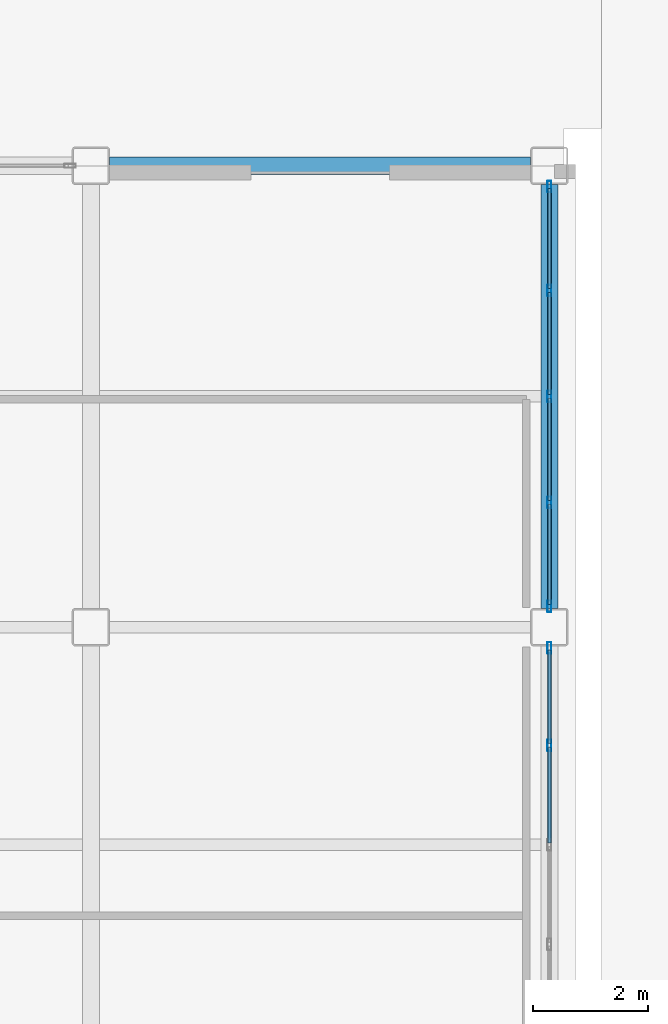
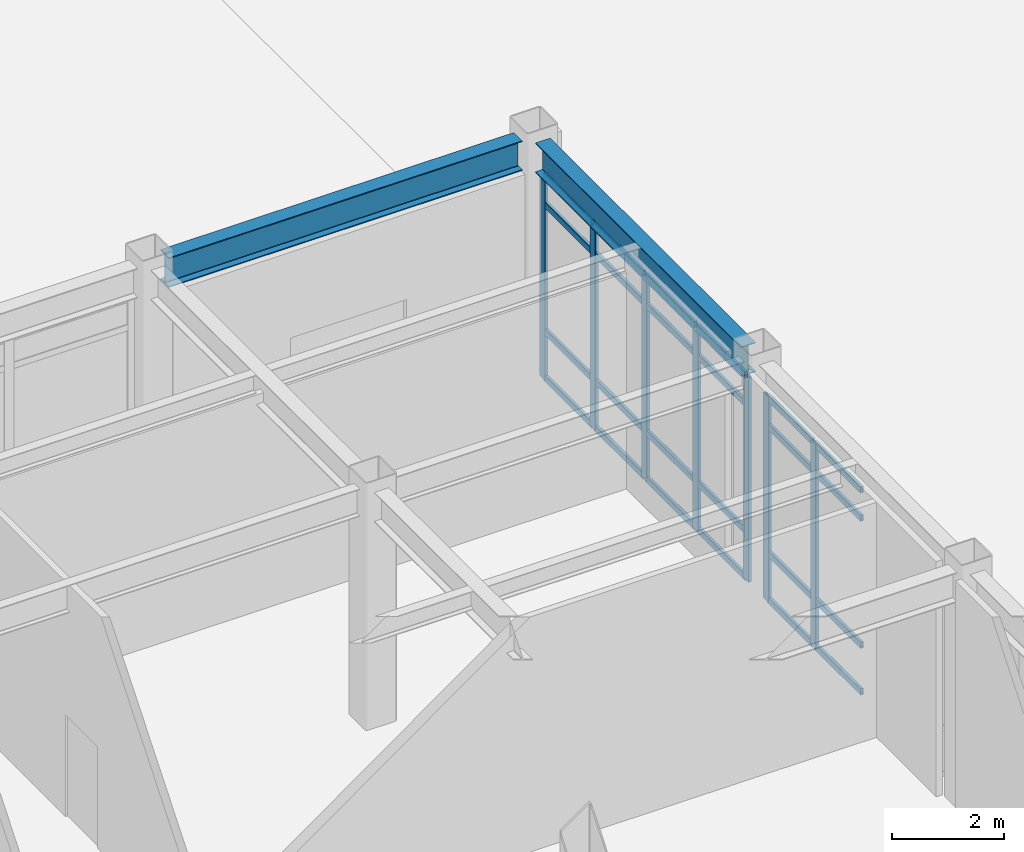
# One storey, part 60 of 165: 31 members, 2 beams, 2 elements without a shape of their own.
"""IFC4 building model written with IfcOpenShell, lengths in metres."""

from ifc_helpers import new_model, si_unit, direction, frame, origin, origin_2d, place, context, subcontext, project, spatial, hollow_rectangle, i_section, extrude, material, layer, layer_set, material_profile, profile_set, type_object, element, aggregate, save


model = new_model("IFC4")

# Units and contexts
model_context = context("Model", 3, precision=1e-05, world=origin(), true_north=direction((0.0, 1.0)))
body_context = subcontext(model_context, "Body", "Model", "MODEL_VIEW")
ifc_project = project(units=[si_unit("LENGTHUNIT", "METRE"), si_unit("AREAUNIT", "SQUARE_METRE"), si_unit("VOLUMEUNIT", "CUBIC_METRE"), si_unit("PLANEANGLEUNIT", "RADIAN"), si_unit("MASSUNIT", "GRAM", prefix="KILO")], contexts=[model_context])

# Site, building, storey
site_placement = place(None, origin())
site = spatial("IfcSite", under=ifc_project, at=site_placement, CompositionType="ELEMENT")
building_placement = place(site_placement, origin())
building = spatial("IfcBuilding", under=site, at=building_placement, Name="Kazehara Bluff Congress Hotel", CompositionType="ELEMENT")
storey_placement = place(building_placement, origin())
storey = spatial("IfcBuildingStorey", under=building, at=storey_placement, Name="L00", CompositionType="ELEMENT", Elevation=0.0)

# Curtain wall, members
ifc_material_1 = material(Name="Anodised aluminium", Category="aluminium")
ifc_layer_1 = layer(ifc_material_1, 0.159912109375)
ifc_layer_set_1 = layer_set([ifc_layer_1], Name="Anodised aluminium")
curtain_wall_type_1 = type_object("IfcCurtainWallType", Name="TP-CW-51", PredefinedType="NOTDEFINED", material=ifc_layer_set_1)
curtain_wall_1_placement = place(storey_placement, origin())
curtain_wall_1 = element("IfcCurtainWall", 1, at=curtain_wall_1_placement, inside=storey, type_object=curtain_wall_type_1, Name="L00 curtain wall CW-51 CW-V4-L00-X10920-4122", PredefinedType="NOTDEFINED")
ifc_material_2 = material(Name="Anodised aluminium", Category="aluminium")
ifc_material_profile_1 = material_profile(ifc_material_2, hollow_rectangle(XDim=0.070068359375, YDim=0.199951171875, WallThickness=0.0048828125, InnerFilletRadius=0.0048828125, OuterFilletRadius=0.010009765625, at=origin_2d()))
ifc_profile_set_1 = profile_set([ifc_material_profile_1], Name="Anodised aluminium")
member_type_1 = type_object("IfcMemberType", Name="TP-CWM-03", PredefinedType="MULLION", material=ifc_profile_set_1)
member_1_placement = place(storey_placement, frame((109.199951171875, 46.39990234375, 0.0), z_axis=(0.0, 0.0, 1.0), x_axis=(-1.0, 0.0, 0.0)))
member_1 = element("IfcMember", 2, at=member_1_placement, type_object=member_type_1, Name="CW-51 mullion 4", PredefinedType="MULLION", context=body_context, shape_type="SweptSolid", body=[
    extrude(hollow_rectangle(XDim=0.070068359375, YDim=0.199951171875, WallThickness=0.0048828125, InnerFilletRadius=0.0048828125, OuterFilletRadius=0.010009765625, at=origin_2d()), origin(), (0.0, 0.0, 1.0), 4.47509765625),
])
member_2_placement = place(storey_placement, frame((109.199951171875, 48.090087890625, 0.0), z_axis=(0.0, 0.0, 1.0), x_axis=(-1.0, 0.0, 0.0)))
member_2 = element("IfcMember", 3, at=member_2_placement, type_object=member_type_1, Name="CW-51 mullion 5", PredefinedType="MULLION", context=body_context, shape_type="SweptSolid", body=[
    extrude(hollow_rectangle(XDim=0.070068359375, YDim=0.199951171875, WallThickness=0.0048828125, InnerFilletRadius=0.0048828125, OuterFilletRadius=0.010009765625, at=origin_2d()), origin(), (0.0, 0.0, 1.0), 4.47509765625),
])

ifc_material_3 = material(Name="Anodised aluminium", Category="aluminium")
ifc_layer_2 = layer(ifc_material_3, 0.159912109375)
ifc_layer_set_2 = layer_set([ifc_layer_2], Name="Anodised aluminium")
curtain_wall_type_2 = type_object("IfcCurtainWallType", Name="TP-CW-52", PredefinedType="NOTDEFINED", material=ifc_layer_set_2)
curtain_wall_2_placement = place(storey_placement, origin())
curtain_wall_2 = element("IfcCurtainWall", 4, at=curtain_wall_2_placement, inside=storey, type_object=curtain_wall_type_2, Name="L00 curtain wall CW-52 CW-V4-L00-X10920-4878", PredefinedType="NOTDEFINED")
member_3_placement = place(storey_placement, frame((109.199951171875, 48.81005859375, 0.0), z_axis=(0.0, 0.0, 1.0), x_axis=(-1.0, 0.0, 0.0)))
member_3 = element("IfcMember", 5, at=member_3_placement, type_object=member_type_1, Name="CW-52 mullion 1", PredefinedType="MULLION", context=body_context, shape_type="SweptSolid", body=[
    extrude(hollow_rectangle(XDim=0.070068359375, YDim=0.199951171875, WallThickness=0.0048828125, InnerFilletRadius=0.0048828125, OuterFilletRadius=0.010009765625, at=origin_2d()), origin(), (0.0, 0.0, 1.0), 4.47509765625),
])
member_4_placement = place(storey_placement, frame((109.199951171875, 50.612548828125, 0.0), z_axis=(0.0, 0.0, 1.0), x_axis=(-1.0, 0.0, 0.0)))
member_4 = element("IfcMember", 6, at=member_4_placement, type_object=member_type_1, Name="CW-52 mullion 2", PredefinedType="MULLION", context=body_context, shape_type="SweptSolid", body=[
    extrude(hollow_rectangle(XDim=0.070068359375, YDim=0.199951171875, WallThickness=0.0048828125, InnerFilletRadius=0.0048828125, OuterFilletRadius=0.010009765625, at=origin_2d()), origin(), (0.0, 0.0, 1.0), 4.47509765625),
])
member_5_placement = place(storey_placement, frame((109.199951171875, 52.449951171875, 0.0), z_axis=(0.0, 0.0, 1.0), x_axis=(-1.0, 0.0, 0.0)))
member_5 = element("IfcMember", 7, at=member_5_placement, type_object=member_type_1, Name="CW-52 mullion 3", PredefinedType="MULLION", context=body_context, shape_type="SweptSolid", body=[
    extrude(hollow_rectangle(XDim=0.070068359375, YDim=0.199951171875, WallThickness=0.0048828125, InnerFilletRadius=0.0048828125, OuterFilletRadius=0.010009765625, at=origin_2d()), origin(), (0.0, 0.0, 1.0), 4.47509765625),
])
member_6_placement = place(storey_placement, frame((109.199951171875, 54.28759765625, 0.0), z_axis=(0.0, 0.0, 1.0), x_axis=(-1.0, 0.0, 0.0)))
member_6 = element("IfcMember", 8, at=member_6_placement, type_object=member_type_1, Name="CW-52 mullion 4", PredefinedType="MULLION", context=body_context, shape_type="SweptSolid", body=[
    extrude(hollow_rectangle(XDim=0.070068359375, YDim=0.199951171875, WallThickness=0.0048828125, InnerFilletRadius=0.0048828125, OuterFilletRadius=0.010009765625, at=origin_2d()), origin(), (0.0, 0.0, 1.0), 4.47509765625),
])
member_7_placement = place(storey_placement, frame((109.199951171875, 56.090087890625, 0.0), z_axis=(0.0, 0.0, 1.0), x_axis=(-1.0, 0.0, 0.0)))
member_7 = element("IfcMember", 9, at=member_7_placement, type_object=member_type_1, Name="CW-52 mullion 5", PredefinedType="MULLION", context=body_context, shape_type="SweptSolid", body=[
    extrude(hollow_rectangle(XDim=0.070068359375, YDim=0.199951171875, WallThickness=0.0048828125, InnerFilletRadius=0.0048828125, OuterFilletRadius=0.010009765625, at=origin_2d()), origin(), (0.0, 0.0, 1.0), 4.47509765625),
])

# Member
ifc_material_4 = material(Name="Anodised aluminium", Category="aluminium")
ifc_material_profile_2 = material_profile(ifc_material_4, hollow_rectangle(XDim=0.06494140625, YDim=0.139892578125, WallThickness=0.00390625, InnerFilletRadius=0.00390625, OuterFilletRadius=0.008056640625, at=origin_2d()))
ifc_profile_set_2 = profile_set([ifc_material_profile_2], Name="Anodised aluminium")
member_type_2 = type_object("IfcMemberType", Name="TP-CWT-02", PredefinedType="USERDEFINED", material=ifc_profile_set_2)
member_8_placement = place(storey_placement, frame((109.199951171875, 44.7099609375, 0.032470703125), z_axis=(0.0, 1.0, 0.0), x_axis=(-1.0, 0.0, 0.0)))
member_8 = element("IfcMember", 10, at=member_8_placement, type_object=member_type_2, Name="CW-51 transom 3.1", ObjectType="TRANSOM", PredefinedType="USERDEFINED", context=body_context, shape_type="SweptSolid", body=[
    extrude(hollow_rectangle(XDim=0.06494140625, YDim=0.139892578125, WallThickness=0.00390625, InnerFilletRadius=0.00390625, OuterFilletRadius=0.008056640625, at=origin_2d()), origin(), (0.0, 0.0, 1.0), 1.655029296875),
])

member_9_placement = place(storey_placement, frame((109.199951171875, 44.7099609375, 1.050048828125), z_axis=(0.0, 1.0, 0.0), x_axis=(-1.0, 0.0, 0.0)))
member_9 = element("IfcMember", 11, at=member_9_placement, type_object=member_type_2, Name="CW-51 transom 3.2", ObjectType="TRANSOM", PredefinedType="USERDEFINED", context=body_context, shape_type="SweptSolid", body=[
    extrude(hollow_rectangle(XDim=0.06494140625, YDim=0.139892578125, WallThickness=0.00390625, InnerFilletRadius=0.00390625, OuterFilletRadius=0.008056640625, at=origin_2d()), origin(), (0.0, 0.0, 1.0), 1.655029296875),
])

member_10_placement = place(storey_placement, frame((109.199951171875, 44.7099609375, 3.824951171875), z_axis=(0.0, 1.0, 0.0), x_axis=(-1.0, 0.0, 0.0)))
member_10 = element("IfcMember", 12, at=member_10_placement, type_object=member_type_2, Name="CW-51 transom 3.3", ObjectType="TRANSOM", PredefinedType="USERDEFINED", context=body_context, shape_type="SweptSolid", body=[
    extrude(hollow_rectangle(XDim=0.06494140625, YDim=0.139892578125, WallThickness=0.00390625, InnerFilletRadius=0.00390625, OuterFilletRadius=0.008056640625, at=origin_2d()), origin(), (0.0, 0.0, 1.0), 1.655029296875),
])

member_11_placement = place(storey_placement, frame((109.199951171875, 44.7099609375, 4.4423828125), z_axis=(0.0, 1.0, 0.0), x_axis=(-1.0, 0.0, 0.0)))
member_11 = element("IfcMember", 13, at=member_11_placement, type_object=member_type_2, Name="CW-51 transom 3.4", ObjectType="TRANSOM", PredefinedType="USERDEFINED", context=body_context, shape_type="SweptSolid", body=[
    extrude(hollow_rectangle(XDim=0.06494140625, YDim=0.139892578125, WallThickness=0.00390625, InnerFilletRadius=0.00390625, OuterFilletRadius=0.008056640625, at=origin_2d()), origin(), (0.0, 0.0, 1.0), 1.655029296875),
])

member_12_placement = place(storey_placement, frame((109.199951171875, 46.43505859375, 0.032470703125), z_axis=(0.0, 1.0, 0.0), x_axis=(-1.0, 0.0, 0.0)))
member_12 = element("IfcMember", 14, at=member_12_placement, type_object=member_type_2, Name="CW-51 transom 4.1", ObjectType="TRANSOM", PredefinedType="USERDEFINED", context=body_context, shape_type="SweptSolid", body=[
    extrude(hollow_rectangle(XDim=0.06494140625, YDim=0.139892578125, WallThickness=0.00390625, InnerFilletRadius=0.00390625, OuterFilletRadius=0.008056640625, at=origin_2d()), origin(), (0.0, 0.0, 1.0), 1.619873046875),
])

member_13_placement = place(storey_placement, frame((109.199951171875, 46.43505859375, 1.050048828125), z_axis=(0.0, 1.0, 0.0), x_axis=(-1.0, 0.0, 0.0)))
member_13 = element("IfcMember", 15, at=member_13_placement, type_object=member_type_2, Name="CW-51 transom 4.2", ObjectType="TRANSOM", PredefinedType="USERDEFINED", context=body_context, shape_type="SweptSolid", body=[
    extrude(hollow_rectangle(XDim=0.06494140625, YDim=0.139892578125, WallThickness=0.00390625, InnerFilletRadius=0.00390625, OuterFilletRadius=0.008056640625, at=origin_2d()), origin(), (0.0, 0.0, 1.0), 1.619873046875),
])

member_14_placement = place(storey_placement, frame((109.199951171875, 46.43505859375, 3.824951171875), z_axis=(0.0, 1.0, 0.0), x_axis=(-1.0, 0.0, 0.0)))
member_14 = element("IfcMember", 16, at=member_14_placement, type_object=member_type_2, Name="CW-51 transom 4.3", ObjectType="TRANSOM", PredefinedType="USERDEFINED", context=body_context, shape_type="SweptSolid", body=[
    extrude(hollow_rectangle(XDim=0.06494140625, YDim=0.139892578125, WallThickness=0.00390625, InnerFilletRadius=0.00390625, OuterFilletRadius=0.008056640625, at=origin_2d()), origin(), (0.0, 0.0, 1.0), 1.619873046875),
])

member_15_placement = place(storey_placement, frame((109.199951171875, 46.43505859375, 4.4423828125), z_axis=(0.0, 1.0, 0.0), x_axis=(-1.0, 0.0, 0.0)))
member_15 = element("IfcMember", 17, at=member_15_placement, type_object=member_type_2, Name="CW-51 transom 4.4", ObjectType="TRANSOM", PredefinedType="USERDEFINED", context=body_context, shape_type="SweptSolid", body=[
    extrude(hollow_rectangle(XDim=0.06494140625, YDim=0.139892578125, WallThickness=0.00390625, InnerFilletRadius=0.00390625, OuterFilletRadius=0.008056640625, at=origin_2d()), origin(), (0.0, 0.0, 1.0), 1.619873046875),
])

aggregate(curtain_wall_1, [member_1, member_2, member_8, member_9, member_10, member_11, member_12, member_13, member_14, member_15])

member_16_placement = place(storey_placement, frame((109.199951171875, 48.844970703125, 0.032470703125), z_axis=(0.0, 1.0, 0.0), x_axis=(-1.0, 0.0, 0.0)))
member_16 = element("IfcMember", 18, at=member_16_placement, type_object=member_type_2, Name="CW-52 transom 1.1", ObjectType="TRANSOM", PredefinedType="USERDEFINED", context=body_context, shape_type="SweptSolid", body=[
    extrude(hollow_rectangle(XDim=0.06494140625, YDim=0.139892578125, WallThickness=0.00390625, InnerFilletRadius=0.00390625, OuterFilletRadius=0.008056640625, at=origin_2d()), origin(), (0.0, 0.0, 1.0), 1.732421875),
])

member_17_placement = place(storey_placement, frame((109.199951171875, 48.844970703125, 1.050048828125), z_axis=(0.0, 1.0, 0.0), x_axis=(-1.0, 0.0, 0.0)))
member_17 = element("IfcMember", 19, at=member_17_placement, type_object=member_type_2, Name="CW-52 transom 1.2", ObjectType="TRANSOM", PredefinedType="USERDEFINED", context=body_context, shape_type="SweptSolid", body=[
    extrude(hollow_rectangle(XDim=0.06494140625, YDim=0.139892578125, WallThickness=0.00390625, InnerFilletRadius=0.00390625, OuterFilletRadius=0.008056640625, at=origin_2d()), origin(), (0.0, 0.0, 1.0), 1.732421875),
])

member_18_placement = place(storey_placement, frame((109.199951171875, 48.844970703125, 3.824951171875), z_axis=(0.0, 1.0, 0.0), x_axis=(-1.0, 0.0, 0.0)))
member_18 = element("IfcMember", 20, at=member_18_placement, type_object=member_type_2, Name="CW-52 transom 1.3", ObjectType="TRANSOM", PredefinedType="USERDEFINED", context=body_context, shape_type="SweptSolid", body=[
    extrude(hollow_rectangle(XDim=0.06494140625, YDim=0.139892578125, WallThickness=0.00390625, InnerFilletRadius=0.00390625, OuterFilletRadius=0.008056640625, at=origin_2d()), origin(), (0.0, 0.0, 1.0), 1.732421875),
])

member_19_placement = place(storey_placement, frame((109.199951171875, 48.844970703125, 4.4423828125), z_axis=(0.0, 1.0, 0.0), x_axis=(-1.0, 0.0, 0.0)))
member_19 = element("IfcMember", 21, at=member_19_placement, type_object=member_type_2, Name="CW-52 transom 1.4", ObjectType="TRANSOM", PredefinedType="USERDEFINED", context=body_context, shape_type="SweptSolid", body=[
    extrude(hollow_rectangle(XDim=0.06494140625, YDim=0.139892578125, WallThickness=0.00390625, InnerFilletRadius=0.00390625, OuterFilletRadius=0.008056640625, at=origin_2d()), origin(), (0.0, 0.0, 1.0), 1.732421875),
])

member_20_placement = place(storey_placement, frame((109.199951171875, 50.6474609375, 0.032470703125), z_axis=(0.0, 1.0, 0.0), x_axis=(-1.0, 0.0, 0.0)))
member_20 = element("IfcMember", 22, at=member_20_placement, type_object=member_type_2, Name="CW-52 transom 2.1", ObjectType="TRANSOM", PredefinedType="USERDEFINED", context=body_context, shape_type="SweptSolid", body=[
    extrude(hollow_rectangle(XDim=0.06494140625, YDim=0.139892578125, WallThickness=0.00390625, InnerFilletRadius=0.00390625, OuterFilletRadius=0.008056640625, at=origin_2d()), origin(), (0.0, 0.0, 1.0), 1.767578125),
])

member_21_placement = place(storey_placement, frame((109.199951171875, 50.6474609375, 1.050048828125), z_axis=(0.0, 1.0, 0.0), x_axis=(-1.0, 0.0, 0.0)))
member_21 = element("IfcMember", 23, at=member_21_placement, type_object=member_type_2, Name="CW-52 transom 2.2", ObjectType="TRANSOM", PredefinedType="USERDEFINED", context=body_context, shape_type="SweptSolid", body=[
    extrude(hollow_rectangle(XDim=0.06494140625, YDim=0.139892578125, WallThickness=0.00390625, InnerFilletRadius=0.00390625, OuterFilletRadius=0.008056640625, at=origin_2d()), origin(), (0.0, 0.0, 1.0), 1.767578125),
])

member_22_placement = place(storey_placement, frame((109.199951171875, 50.6474609375, 3.824951171875), z_axis=(0.0, 1.0, 0.0), x_axis=(-1.0, 0.0, 0.0)))
member_22 = element("IfcMember", 24, at=member_22_placement, type_object=member_type_2, Name="CW-52 transom 2.3", ObjectType="TRANSOM", PredefinedType="USERDEFINED", context=body_context, shape_type="SweptSolid", body=[
    extrude(hollow_rectangle(XDim=0.06494140625, YDim=0.139892578125, WallThickness=0.00390625, InnerFilletRadius=0.00390625, OuterFilletRadius=0.008056640625, at=origin_2d()), origin(), (0.0, 0.0, 1.0), 1.767578125),
])

member_23_placement = place(storey_placement, frame((109.199951171875, 50.6474609375, 4.4423828125), z_axis=(0.0, 1.0, 0.0), x_axis=(-1.0, 0.0, 0.0)))
member_23 = element("IfcMember", 25, at=member_23_placement, type_object=member_type_2, Name="CW-52 transom 2.4", ObjectType="TRANSOM", PredefinedType="USERDEFINED", context=body_context, shape_type="SweptSolid", body=[
    extrude(hollow_rectangle(XDim=0.06494140625, YDim=0.139892578125, WallThickness=0.00390625, InnerFilletRadius=0.00390625, OuterFilletRadius=0.008056640625, at=origin_2d()), origin(), (0.0, 0.0, 1.0), 1.767578125),
])

member_24_placement = place(storey_placement, frame((109.199951171875, 52.485107421875, 0.032470703125), z_axis=(0.0, 1.0, 0.0), x_axis=(-1.0, 0.0, 0.0)))
member_24 = element("IfcMember", 26, at=member_24_placement, type_object=member_type_2, Name="CW-52 transom 3.1", ObjectType="TRANSOM", PredefinedType="USERDEFINED", context=body_context, shape_type="SweptSolid", body=[
    extrude(hollow_rectangle(XDim=0.06494140625, YDim=0.139892578125, WallThickness=0.00390625, InnerFilletRadius=0.00390625, OuterFilletRadius=0.008056640625, at=origin_2d()), origin(), (0.0, 0.0, 1.0), 1.767333984375),
])

member_25_placement = place(storey_placement, frame((109.199951171875, 52.485107421875, 1.050048828125), z_axis=(0.0, 1.0, 0.0), x_axis=(-1.0, 0.0, 0.0)))
member_25 = element("IfcMember", 27, at=member_25_placement, type_object=member_type_2, Name="CW-52 transom 3.2", ObjectType="TRANSOM", PredefinedType="USERDEFINED", context=body_context, shape_type="SweptSolid", body=[
    extrude(hollow_rectangle(XDim=0.06494140625, YDim=0.139892578125, WallThickness=0.00390625, InnerFilletRadius=0.00390625, OuterFilletRadius=0.008056640625, at=origin_2d()), origin(), (0.0, 0.0, 1.0), 1.767333984375),
])

member_26_placement = place(storey_placement, frame((109.199951171875, 52.485107421875, 3.824951171875), z_axis=(0.0, 1.0, 0.0), x_axis=(-1.0, 0.0, 0.0)))
member_26 = element("IfcMember", 28, at=member_26_placement, type_object=member_type_2, Name="CW-52 transom 3.3", ObjectType="TRANSOM", PredefinedType="USERDEFINED", context=body_context, shape_type="SweptSolid", body=[
    extrude(hollow_rectangle(XDim=0.06494140625, YDim=0.139892578125, WallThickness=0.00390625, InnerFilletRadius=0.00390625, OuterFilletRadius=0.008056640625, at=origin_2d()), origin(), (0.0, 0.0, 1.0), 1.767333984375),
])

member_27_placement = place(storey_placement, frame((109.199951171875, 52.485107421875, 4.4423828125), z_axis=(0.0, 1.0, 0.0), x_axis=(-1.0, 0.0, 0.0)))
member_27 = element("IfcMember", 29, at=member_27_placement, type_object=member_type_2, Name="CW-52 transom 3.4", ObjectType="TRANSOM", PredefinedType="USERDEFINED", context=body_context, shape_type="SweptSolid", body=[
    extrude(hollow_rectangle(XDim=0.06494140625, YDim=0.139892578125, WallThickness=0.00390625, InnerFilletRadius=0.00390625, OuterFilletRadius=0.008056640625, at=origin_2d()), origin(), (0.0, 0.0, 1.0), 1.767333984375),
])

member_28_placement = place(storey_placement, frame((109.199951171875, 54.322509765625, 0.032470703125), z_axis=(0.0, 1.0, 0.0), x_axis=(-1.0, 0.0, 0.0)))
member_28 = element("IfcMember", 30, at=member_28_placement, type_object=member_type_2, Name="CW-52 transom 4.1", ObjectType="TRANSOM", PredefinedType="USERDEFINED", context=body_context, shape_type="SweptSolid", body=[
    extrude(hollow_rectangle(XDim=0.06494140625, YDim=0.139892578125, WallThickness=0.00390625, InnerFilletRadius=0.00390625, OuterFilletRadius=0.008056640625, at=origin_2d()), origin(), (0.0, 0.0, 1.0), 1.732421875),
])

member_29_placement = place(storey_placement, frame((109.199951171875, 54.322509765625, 1.050048828125), z_axis=(0.0, 1.0, 0.0), x_axis=(-1.0, 0.0, 0.0)))
member_29 = element("IfcMember", 31, at=member_29_placement, type_object=member_type_2, Name="CW-52 transom 4.2", ObjectType="TRANSOM", PredefinedType="USERDEFINED", context=body_context, shape_type="SweptSolid", body=[
    extrude(hollow_rectangle(XDim=0.06494140625, YDim=0.139892578125, WallThickness=0.00390625, InnerFilletRadius=0.00390625, OuterFilletRadius=0.008056640625, at=origin_2d()), origin(), (0.0, 0.0, 1.0), 1.732421875),
])

member_30_placement = place(storey_placement, frame((109.199951171875, 54.322509765625, 3.824951171875), z_axis=(0.0, 1.0, 0.0), x_axis=(-1.0, 0.0, 0.0)))
member_30 = element("IfcMember", 32, at=member_30_placement, type_object=member_type_2, Name="CW-52 transom 4.3", ObjectType="TRANSOM", PredefinedType="USERDEFINED", context=body_context, shape_type="SweptSolid", body=[
    extrude(hollow_rectangle(XDim=0.06494140625, YDim=0.139892578125, WallThickness=0.00390625, InnerFilletRadius=0.00390625, OuterFilletRadius=0.008056640625, at=origin_2d()), origin(), (0.0, 0.0, 1.0), 1.732421875),
])

member_31_placement = place(storey_placement, frame((109.199951171875, 54.322509765625, 4.4423828125), z_axis=(0.0, 1.0, 0.0), x_axis=(-1.0, 0.0, 0.0)))
member_31 = element("IfcMember", 33, at=member_31_placement, type_object=member_type_2, Name="CW-52 transom 4.4", ObjectType="TRANSOM", PredefinedType="USERDEFINED", context=body_context, shape_type="SweptSolid", body=[
    extrude(hollow_rectangle(XDim=0.06494140625, YDim=0.139892578125, WallThickness=0.00390625, InnerFilletRadius=0.00390625, OuterFilletRadius=0.008056640625, at=origin_2d()), origin(), (0.0, 0.0, 1.0), 1.732421875),
])

aggregate(curtain_wall_2, [member_3, member_4, member_5, member_6, member_7, member_16, member_17, member_18, member_19, member_20, member_21, member_22, member_23, member_24, member_25, member_26, member_27, member_28, member_29, member_30, member_31])

# Beams
ifc_material_5 = material(Name="Steel SN490B", Category="steel")
ifc_material_profile_3 = material_profile(ifc_material_5, i_section(OverallWidth=0.300048828125, OverallDepth=0.64990234375, WebThickness=0.011962890625, FlangeThickness=0.02001953125, FilletRadius=0.012939453125, at=origin_2d()))
ifc_profile_set_3 = profile_set([ifc_material_profile_3], Name="Steel SN490B")
beam_type = type_object("IfcBeamType", Name="TP-G-03", PredefinedType="BEAM", material=ifc_profile_set_3)
beam_1_placement = place(storey_placement, frame((109.199951171875, 48.77490234375, 4.824951171875), z_axis=(0.0, 1.0, 0.0), x_axis=(-1.0, 0.0, 0.0)))
element("IfcBeam", 34, at=beam_1_placement, inside=storey, type_object=beam_type, Name="L00 girder G-03 184", PredefinedType="BEAM", context=body_context, shape_type="SweptSolid", body=[
    extrude(i_section(OverallWidth=0.300048828125, OverallDepth=0.64990234375, WebThickness=0.011962890625, FlangeThickness=0.02001953125, FilletRadius=0.012939453125, at=origin_2d()), origin(), (0.0, 0.0, 1.0), 7.35009765625),
])
beam_2_placement = place(storey_placement, frame((101.574951171875, 56.449951171875, 4.824951171875), z_axis=(1.0, 0.0, 0.0), x_axis=(0.0, 1.0, 0.0)))
element("IfcBeam", 35, at=beam_2_placement, inside=storey, type_object=beam_type, Name="L00 girder G-03 218", PredefinedType="BEAM", context=body_context, shape_type="SweptSolid", body=[
    extrude(i_section(OverallWidth=0.300048828125, OverallDepth=0.64990234375, WebThickness=0.011962890625, FlangeThickness=0.02001953125, FilletRadius=0.012939453125, at=origin_2d()), origin(), (0.0, 0.0, 1.0), 7.300048828125),
])

save(model, "model.ifc")
